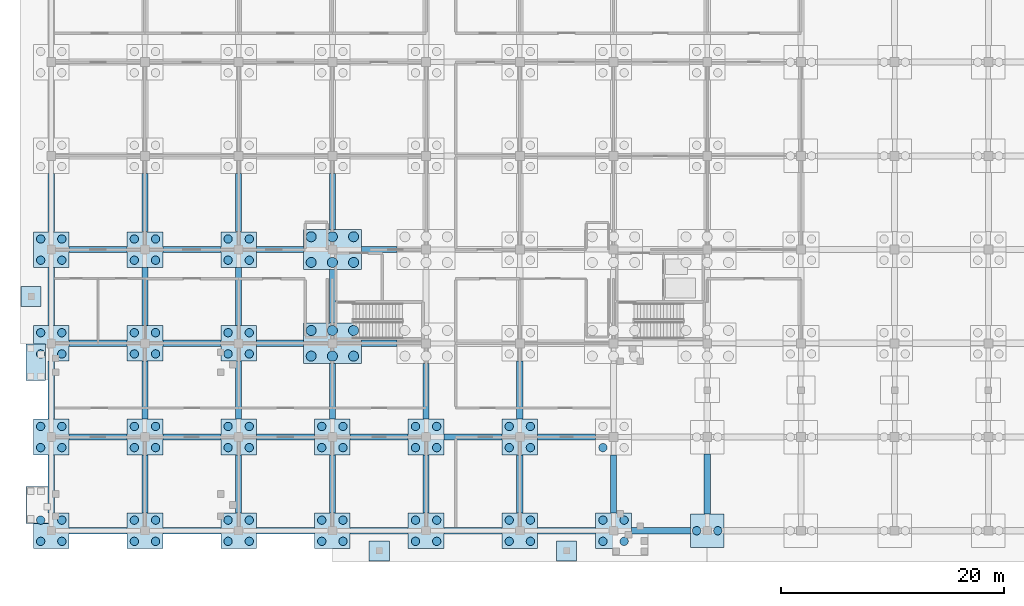
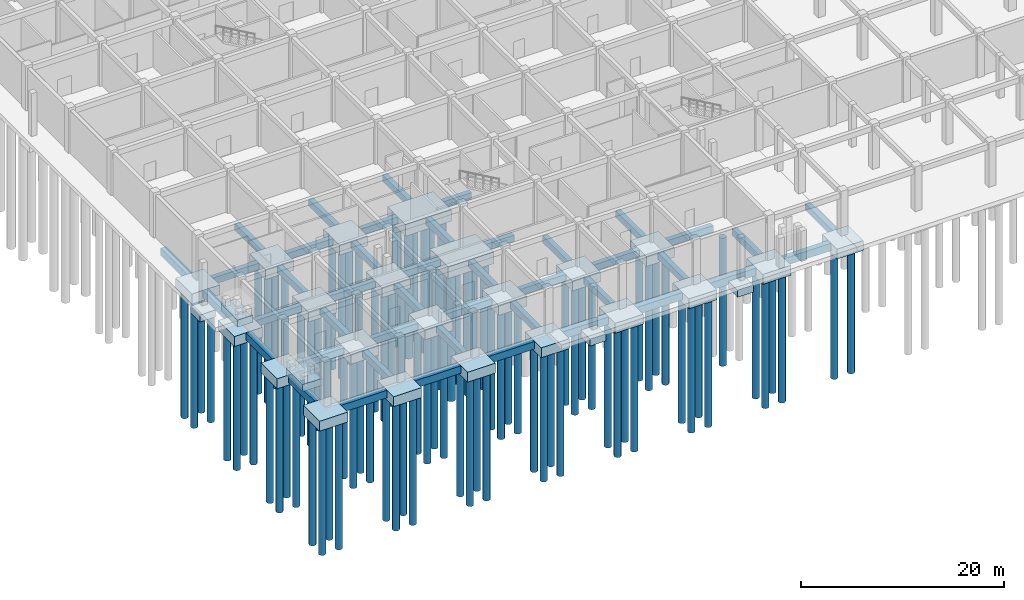
# One storey, part 1 of 65: 91 piles, 70 footings.
"""IFC4 building model written with IfcOpenShell, lengths in metres."""

from ifc_helpers import new_model, si_unit, direction, frame, origin, origin_2d, place, context, subcontext, project, spatial, rectangle, circle, extrude, material, material_profile, profile_set, type_object, element, save


model = new_model("IFC4")

# Units and contexts
model_context = context("Model", 3, precision=1e-05, world=origin(), true_north=direction((0.0, 1.0)))
body_context = subcontext(model_context, "Body", "Model", "MODEL_VIEW")
ifc_project = project(units=[si_unit("LENGTHUNIT", "METRE"), si_unit("AREAUNIT", "SQUARE_METRE"), si_unit("VOLUMEUNIT", "CUBIC_METRE"), si_unit("PLANEANGLEUNIT", "RADIAN"), si_unit("MASSUNIT", "GRAM", prefix="KILO")], contexts=[model_context])

# Site, building, storey
site_placement = place(None, origin())
site = spatial("IfcSite", under=ifc_project, at=site_placement, CompositionType="ELEMENT")
building_placement = place(site_placement, origin())
building = spatial("IfcBuilding", under=site, at=building_placement, Name="Bramfleet General Hospital", CompositionType="ELEMENT")
storey_placement = place(building_placement, frame((0.0, 0.0, -5.39990234375)))
storey = spatial("IfcBuildingStorey", under=building, at=storey_placement, Name="B1", CompositionType="ELEMENT", Elevation=-5.39990234375)

# Footings
ifc_material = material(Name="Concrete C35/45", Category="concrete")
ifc_material_profile_1 = material_profile(ifc_material, rectangle(XDim=0.550048828125, YDim=0.800048828125, at=origin_2d()), Name="RC FB 800x550")
ifc_profile_set_1 = profile_set([ifc_material_profile_1], Name="Concrete C35/45")
footing_type_1 = type_object("IfcFootingType", Name="FTG-FB-01", PredefinedType="FOOTING_BEAM", material=ifc_profile_set_1)
for number, where, z_axis, x_axis, name in (
    (1, (1.60009765625, 8.39990234375, -0.900146484375), (1.0, 0.0, 0.0), (0.0, 1.0, 0.0), "Foundation Tie Beam X 00-01"),
    (2, (1.60009765625, 16.800048828125, -0.900146484375), (1.0, 0.0, 0.0), (0.0, 1.0, 0.0), "Foundation Tie Beam X 00-02"),
    (3, (1.60009765625, 25.199951171875, -0.900146484375), (1.0, 0.0, 0.0), (0.0, 1.0, 0.0), "Foundation Tie Beam X 00-03"),
    (4, (8.39990234375, 1.60009765625, -0.900146484375), (0.0, 1.0, 0.0), (-1.0, 0.0, 0.0), "Foundation Tie Beam Y 01-00"),
    (5, (10.0, 8.39990234375, -0.900146484375), (1.0, 0.0, 0.0), (0.0, 1.0, 0.0), "Foundation Tie Beam X 01-01"),
    (6, (8.39990234375, 10.0, -0.900146484375), (0.0, 1.0, 0.0), (-1.0, 0.0, 0.0), "Foundation Tie Beam Y 01-01"),
    (7, (10.0, 16.800048828125, -0.900146484375), (1.0, 0.0, 0.0), (0.0, 1.0, 0.0), "Foundation Tie Beam X 01-02"),
):
    element("IfcFooting", number, at=place(storey_placement, frame(where, z_axis=z_axis, x_axis=x_axis)), inside=storey, type_object=footing_type_1, Name=name, PredefinedType="FOOTING_BEAM", context=body_context, shape_type="SweptSolid", body=[
        extrude(rectangle(XDim=0.550048828125, YDim=0.800048828125, at=origin_2d()), origin(), (0.0, 0.0, 1.0), 5.199951171875),
    ])
footing_1_placement = place(storey_placement, frame((8.39990234375, 18.39990234375, -0.900146484375), z_axis=(0.0, 1.0, 0.0), x_axis=(-1.0, 0.0, 0.0)))
element("IfcFooting", 8, at=footing_1_placement, inside=storey, type_object=footing_type_1, Name="Foundation Tie Beam Y 01-02", PredefinedType="FOOTING_BEAM", context=body_context, shape_type="SweptSolid", body=[
    extrude(rectangle(XDim=0.550048828125, YDim=0.800048828125, at=origin_2d()), origin(), (0.0, 0.0, 1.0), 5.2001953125),
])
for number, where, z_axis, x_axis, name in (
    (9, (10.0, 25.199951171875, -0.900146484375), (1.0, 0.0, 0.0), (0.0, 1.0, 0.0), "Foundation Tie Beam X 01-03"),
    (10, (8.39990234375, 26.800048828125, -0.900146484375), (0.0, 1.0, 0.0), (-1.0, 0.0, 0.0), "Foundation Tie Beam Y 01-03"),
    (11, (16.800048828125, 1.60009765625, -0.900146484375), (0.0, 1.0, 0.0), (-1.0, 0.0, 0.0), "Foundation Tie Beam Y 02-00"),
):
    element("IfcFooting", number, at=place(storey_placement, frame(where, z_axis=z_axis, x_axis=x_axis)), inside=storey, type_object=footing_type_1, Name=name, PredefinedType="FOOTING_BEAM", context=body_context, shape_type="SweptSolid", body=[
        extrude(rectangle(XDim=0.550048828125, YDim=0.800048828125, at=origin_2d()), origin(), (0.0, 0.0, 1.0), 5.199951171875),
    ])
footing_2_placement = place(storey_placement, frame((18.39990234375, 8.39990234375, -0.900146484375), z_axis=(1.0, 0.0, 0.0), x_axis=(0.0, 1.0, 0.0)))
element("IfcFooting", 12, at=footing_2_placement, inside=storey, type_object=footing_type_1, Name="Foundation Tie Beam X 02-01", PredefinedType="FOOTING_BEAM", context=body_context, shape_type="SweptSolid", body=[
    extrude(rectangle(XDim=0.550048828125, YDim=0.800048828125, at=origin_2d()), origin(), (0.0, 0.0, 1.0), 5.2001953125),
])
footing_3_placement = place(storey_placement, frame((16.800048828125, 10.0, -0.900146484375), z_axis=(0.0, 1.0, 0.0), x_axis=(-1.0, 0.0, 0.0)))
element("IfcFooting", 13, at=footing_3_placement, inside=storey, type_object=footing_type_1, Name="Foundation Tie Beam Y 02-01", PredefinedType="FOOTING_BEAM", context=body_context, shape_type="SweptSolid", body=[
    extrude(rectangle(XDim=0.550048828125, YDim=0.800048828125, at=origin_2d()), origin(), (0.0, 0.0, 1.0), 5.199951171875),
])
footing_4_placement = place(storey_placement, frame((18.39990234375, 16.800048828125, -0.900146484375), z_axis=(1.0, 0.0, 0.0), x_axis=(0.0, 1.0, 0.0)))
element("IfcFooting", 14, at=footing_4_placement, inside=storey, type_object=footing_type_1, Name="Foundation Tie Beam X 02-02", PredefinedType="FOOTING_BEAM", context=body_context, shape_type="SweptSolid", body=[
    extrude(rectangle(XDim=0.550048828125, YDim=0.800048828125, at=origin_2d()), origin(), (0.0, 0.0, 1.0), 4.2001953125),
])
footing_5_placement = place(storey_placement, frame((16.800048828125, 18.39990234375, -0.900146484375), z_axis=(0.0, 1.0, 0.0), x_axis=(-1.0, 0.0, 0.0)))
element("IfcFooting", 15, at=footing_5_placement, inside=storey, type_object=footing_type_1, Name="Foundation Tie Beam Y 02-02", PredefinedType="FOOTING_BEAM", context=body_context, shape_type="SweptSolid", body=[
    extrude(rectangle(XDim=0.550048828125, YDim=0.800048828125, at=origin_2d()), origin(), (0.0, 0.0, 1.0), 5.2001953125),
])
footing_6_placement = place(storey_placement, frame((18.39990234375, 25.199951171875, -0.900146484375), z_axis=(1.0, 0.0, 0.0), x_axis=(0.0, 1.0, 0.0)))
element("IfcFooting", 16, at=footing_6_placement, inside=storey, type_object=footing_type_1, Name="Foundation Tie Beam X 02-03", PredefinedType="FOOTING_BEAM", context=body_context, shape_type="SweptSolid", body=[
    extrude(rectangle(XDim=0.550048828125, YDim=0.800048828125, at=origin_2d()), origin(), (0.0, 0.0, 1.0), 4.2001953125),
])
for number, where, z_axis, x_axis, name in (
    (17, (16.800048828125, 26.800048828125, -0.900146484375), (0.0, 1.0, 0.0), (-1.0, 0.0, 0.0), "Foundation Tie Beam Y 02-03"),
    (18, (25.199951171875, 1.60009765625, -0.900146484375), (0.0, 1.0, 0.0), (-1.0, 0.0, 0.0), "Foundation Tie Beam Y 03-00"),
    (19, (26.800048828125, 8.39990234375, -0.900146484375), (1.0, 0.0, 0.0), (0.0, 1.0, 0.0), "Foundation Tie Beam X 03-01"),
):
    element("IfcFooting", number, at=place(storey_placement, frame(where, z_axis=z_axis, x_axis=x_axis)), inside=storey, type_object=footing_type_1, Name=name, PredefinedType="FOOTING_BEAM", context=body_context, shape_type="SweptSolid", body=[
        extrude(rectangle(XDim=0.550048828125, YDim=0.800048828125, at=origin_2d()), origin(), (0.0, 0.0, 1.0), 5.199951171875),
    ])
footing_7_placement = place(storey_placement, frame((25.199951171875, 10.0, -0.900146484375), z_axis=(0.0, 1.0, 0.0), x_axis=(-1.0, 0.0, 0.0)))
element("IfcFooting", 20, at=footing_7_placement, inside=storey, type_object=footing_type_1, Name="Foundation Tie Beam Y 03-01", PredefinedType="FOOTING_BEAM", context=body_context, shape_type="SweptSolid", body=[
    extrude(rectangle(XDim=0.550048828125, YDim=0.800048828125, at=origin_2d()), origin(), (0.0, 0.0, 1.0), 5.0),
])
footing_8_placement = place(storey_placement, frame((27.800048828125, 16.800048828125, -0.900146484375), z_axis=(1.0, 0.0, 0.0), x_axis=(0.0, 1.0, 0.0)))
element("IfcFooting", 21, at=footing_8_placement, inside=storey, type_object=footing_type_1, Name="Foundation Tie Beam X 03-02", PredefinedType="FOOTING_BEAM", context=body_context, shape_type="SweptSolid", body=[
    extrude(rectangle(XDim=0.550048828125, YDim=0.800048828125, at=origin_2d()), origin(), (0.0, 0.0, 1.0), 3.199951171875),
])
footing_9_placement = place(storey_placement, frame((25.199951171875, 18.60009765625, -0.900146484375), z_axis=(0.0, 1.0, 0.0), x_axis=(-1.0, 0.0, 0.0)))
element("IfcFooting", 22, at=footing_9_placement, inside=storey, type_object=footing_type_1, Name="Foundation Tie Beam Y 03-02", PredefinedType="FOOTING_BEAM", context=body_context, shape_type="SweptSolid", body=[
    extrude(rectangle(XDim=0.550048828125, YDim=0.800048828125, at=origin_2d()), origin(), (0.0, 0.0, 1.0), 4.7998046875),
])
footing_10_placement = place(storey_placement, frame((27.800048828125, 25.199951171875, -0.900146484375), z_axis=(1.0, 0.0, 0.0), x_axis=(0.0, 1.0, 0.0)))
element("IfcFooting", 23, at=footing_10_placement, inside=storey, type_object=footing_type_1, Name="Foundation Tie Beam X 03-03", PredefinedType="FOOTING_BEAM", context=body_context, shape_type="SweptSolid", body=[
    extrude(rectangle(XDim=0.550048828125, YDim=0.800048828125, at=origin_2d()), origin(), (0.0, 0.0, 1.0), 3.199951171875),
])
footing_11_placement = place(storey_placement, frame((25.199951171875, 27.0, -0.900146484375), z_axis=(0.0, 1.0, 0.0), x_axis=(-1.0, 0.0, 0.0)))
element("IfcFooting", 24, at=footing_11_placement, inside=storey, type_object=footing_type_1, Name="Foundation Tie Beam Y 03-03", PredefinedType="FOOTING_BEAM", context=body_context, shape_type="SweptSolid", body=[
    extrude(rectangle(XDim=0.550048828125, YDim=0.800048828125, at=origin_2d()), origin(), (0.0, 0.0, 1.0), 5.0),
])
for number, where, z_axis, x_axis, name in (
    (25, (33.60009765625, 1.60009765625, -0.900146484375), (0.0, 1.0, 0.0), (-1.0, 0.0, 0.0), "Foundation Tie Beam Y 04-00"),
    (26, (35.199951171875, 8.39990234375, -0.900146484375), (1.0, 0.0, 0.0), (0.0, 1.0, 0.0), "Foundation Tie Beam X 04-01"),
):
    element("IfcFooting", number, at=place(storey_placement, frame(where, z_axis=z_axis, x_axis=x_axis)), inside=storey, type_object=footing_type_1, Name=name, PredefinedType="FOOTING_BEAM", context=body_context, shape_type="SweptSolid", body=[
        extrude(rectangle(XDim=0.550048828125, YDim=0.800048828125, at=origin_2d()), origin(), (0.0, 0.0, 1.0), 5.199951171875),
    ])
footing_12_placement = place(storey_placement, frame((33.60009765625, 10.0, -0.900146484375), z_axis=(0.0, 1.0, 0.0), x_axis=(-1.0, 0.0, 0.0)))
element("IfcFooting", 27, at=footing_12_placement, inside=storey, type_object=footing_type_1, Name="Foundation Tie Beam Y 04-01", PredefinedType="FOOTING_BEAM", context=body_context, shape_type="SweptSolid", body=[
    extrude(rectangle(XDim=0.550048828125, YDim=0.800048828125, at=origin_2d()), origin(), (0.0, 0.0, 1.0), 5.0),
])
for number, where, z_axis, x_axis, name in (
    (28, (42.0, 1.60009765625, -0.900146484375), (0.0, 1.0, 0.0), (-1.0, 0.0, 0.0), "Foundation Tie Beam Y 05-00"),
    (29, (43.60009765625, 8.39990234375, -0.900146484375), (1.0, 0.0, 0.0), (0.0, 1.0, 0.0), "Foundation Tie Beam X 05-01"),
    (30, (42.0, 10.0, -0.900146484375), (0.0, 1.0, 0.0), (-1.0, 0.0, 0.0), "Foundation Tie Beam Y 05-01"),
    (31, (50.39990234375, 1.60009765625, -0.900146484375), (0.0, 1.0, 0.0), (-1.0, 0.0, 0.0), "Foundation Tie Beam Y 06-00"),
):
    element("IfcFooting", number, at=place(storey_placement, frame(where, z_axis=z_axis, x_axis=x_axis)), inside=storey, type_object=footing_type_1, Name=name, PredefinedType="FOOTING_BEAM", context=body_context, shape_type="SweptSolid", body=[
        extrude(rectangle(XDim=0.550048828125, YDim=0.800048828125, at=origin_2d()), origin(), (0.0, 0.0, 1.0), 5.199951171875),
    ])
footing_13_placement = place(storey_placement, frame((58.800048828125, 1.5, -0.900146484375), z_axis=(0.0, 1.0, 0.0), x_axis=(-1.0, 0.0, 0.0)))
element("IfcFooting", 32, at=footing_13_placement, inside=storey, type_object=footing_type_1, Name="Foundation Tie Beam Y 07-00", PredefinedType="FOOTING_BEAM", context=body_context, shape_type="SweptSolid", body=[
    extrude(rectangle(XDim=0.550048828125, YDim=0.800048828125, at=origin_2d()), origin(), (0.0, 0.0, 1.0), 5.39990234375),
])
ifc_material_profile_2 = material_profile(ifc_material, rectangle(XDim=0.60009765625, YDim=0.89990234375, at=origin_2d()), Name="RC FB 900x600")
ifc_profile_set_2 = profile_set([ifc_material_profile_2], Name="Concrete C35/45")
footing_type_2 = type_object("IfcFootingType", Name="FTG-FB-02", PredefinedType="FOOTING_BEAM", material=ifc_profile_set_2)
for number, where, z_axis, x_axis, name in (
    (33, (1.60009765625, 0.0, -0.9501953125), (1.0, 0.0, 0.0), (0.0, 1.0, 0.0), "Foundation Tie Beam X 00-00"),
    (34, (0.0, 1.60009765625, -0.9501953125), (0.0, 1.0, 0.0), (-1.0, 0.0, 0.0), "Foundation Tie Beam Y 00-00"),
    (35, (0.0, 10.0, -0.9501953125), (0.0, 1.0, 0.0), (-1.0, 0.0, 0.0), "Foundation Tie Beam Y 00-01"),
):
    element("IfcFooting", number, at=place(storey_placement, frame(where, z_axis=z_axis, x_axis=x_axis)), inside=storey, type_object=footing_type_2, Name=name, PredefinedType="FOOTING_BEAM", context=body_context, shape_type="SweptSolid", body=[
        extrude(rectangle(XDim=0.60009765625, YDim=0.89990234375, at=origin_2d()), origin(), (0.0, 0.0, 1.0), 5.199951171875),
    ])
footing_14_placement = place(storey_placement, frame((0.0, 18.39990234375, -0.9501953125), z_axis=(0.0, 1.0, 0.0), x_axis=(-1.0, 0.0, 0.0)))
element("IfcFooting", 36, at=footing_14_placement, inside=storey, type_object=footing_type_2, Name="Foundation Tie Beam Y 00-02", PredefinedType="FOOTING_BEAM", context=body_context, shape_type="SweptSolid", body=[
    extrude(rectangle(XDim=0.60009765625, YDim=0.89990234375, at=origin_2d()), origin(), (0.0, 0.0, 1.0), 5.2001953125),
])
for number, where, z_axis, x_axis, name in (
    (37, (0.0, 26.800048828125, -0.9501953125), (0.0, 1.0, 0.0), (-1.0, 0.0, 0.0), "Foundation Tie Beam Y 00-03"),
    (38, (10.0, 0.0, -0.9501953125), (1.0, 0.0, 0.0), (0.0, 1.0, 0.0), "Foundation Tie Beam X 01-00"),
):
    element("IfcFooting", number, at=place(storey_placement, frame(where, z_axis=z_axis, x_axis=x_axis)), inside=storey, type_object=footing_type_2, Name=name, PredefinedType="FOOTING_BEAM", context=body_context, shape_type="SweptSolid", body=[
        extrude(rectangle(XDim=0.60009765625, YDim=0.89990234375, at=origin_2d()), origin(), (0.0, 0.0, 1.0), 5.199951171875),
    ])
footing_15_placement = place(storey_placement, frame((18.39990234375, 0.0, -0.9501953125), z_axis=(1.0, 0.0, 0.0), x_axis=(0.0, 1.0, 0.0)))
element("IfcFooting", 39, at=footing_15_placement, inside=storey, type_object=footing_type_2, Name="Foundation Tie Beam X 02-00", PredefinedType="FOOTING_BEAM", context=body_context, shape_type="SweptSolid", body=[
    extrude(rectangle(XDim=0.60009765625, YDim=0.89990234375, at=origin_2d()), origin(), (0.0, 0.0, 1.0), 5.2001953125),
])
for number, where, z_axis, x_axis, name in (
    (40, (26.800048828125, 0.0, -0.9501953125), (1.0, 0.0, 0.0), (0.0, 1.0, 0.0), "Foundation Tie Beam X 03-00"),
    (41, (35.199951171875, 0.0, -0.9501953125), (1.0, 0.0, 0.0), (0.0, 1.0, 0.0), "Foundation Tie Beam X 04-00"),
    (42, (43.60009765625, 0.0, -0.9501953125), (1.0, 0.0, 0.0), (0.0, 1.0, 0.0), "Foundation Tie Beam X 05-00"),
):
    element("IfcFooting", number, at=place(storey_placement, frame(where, z_axis=z_axis, x_axis=x_axis)), inside=storey, type_object=footing_type_2, Name=name, PredefinedType="FOOTING_BEAM", context=body_context, shape_type="SweptSolid", body=[
        extrude(rectangle(XDim=0.60009765625, YDim=0.89990234375, at=origin_2d()), origin(), (0.0, 0.0, 1.0), 5.199951171875),
    ])
footing_16_placement = place(storey_placement, frame((52.0, 0.0, -0.9501953125), z_axis=(1.0, 0.0, 0.0), x_axis=(0.0, 1.0, 0.0)))
element("IfcFooting", 43, at=footing_16_placement, inside=storey, type_object=footing_type_2, Name="Foundation Tie Beam X 06-00", PredefinedType="FOOTING_BEAM", context=body_context, shape_type="SweptSolid", body=[
    extrude(rectangle(XDim=0.60009765625, YDim=0.89990234375, at=origin_2d()), origin(), (0.0, 0.0, 1.0), 5.300048828125),
])
footing_type_3 = type_object("IfcFootingType", Name="FTG-PC-01", PredefinedType="PILE_CAP", material=ifc_material)
footing_17_placement = place(storey_placement, frame((58.800048828125, 0.0, -1.7001953125), z_axis=(0.0, 0.0, 1.0), x_axis=(1.0, 0.0, 0.0)))
element("IfcFooting", 44, at=footing_17_placement, inside=storey, type_object=footing_type_3, Name="Pile Cap FTG-B1-07-00", PredefinedType="PILE_CAP", context=body_context, shape_type="SweptSolid", body=[
    extrude(rectangle(XDim=3.0, YDim=3.0, at=origin_2d()), origin(), (0.0, 0.0, 1.0), 1.199951171875),
])
footing_type_4 = type_object("IfcFootingType", Name="FTG-PC-02", PredefinedType="PILE_CAP", material=ifc_material)
for number, where, z_axis, x_axis, name in (
    (45, (0.0, 0.0, -1.7001953125), (0.0, 0.0, 1.0), (1.0, 0.0, 0.0), "Pile Cap FTG-B1-00-00"),
    (46, (0.0, 8.39990234375, -1.7001953125), (0.0, 0.0, 1.0), (1.0, 0.0, 0.0), "Pile Cap FTG-B1-00-01"),
    (47, (0.0, 16.800048828125, -1.7001953125), (0.0, 0.0, 1.0), (1.0, 0.0, 0.0), "Pile Cap FTG-B1-00-02"),
    (48, (0.0, 25.199951171875, -1.7001953125), (0.0, 0.0, 1.0), (1.0, 0.0, 0.0), "Pile Cap FTG-B1-00-03"),
    (49, (8.39990234375, 0.0, -1.7001953125), (0.0, 0.0, 1.0), (1.0, 0.0, 0.0), "Pile Cap FTG-B1-01-00"),
    (50, (8.39990234375, 8.39990234375, -1.7001953125), (0.0, 0.0, 1.0), (1.0, 0.0, 0.0), "Pile Cap FTG-B1-01-01"),
    (51, (8.39990234375, 16.800048828125, -1.7001953125), (0.0, 0.0, 1.0), (1.0, 0.0, 0.0), "Pile Cap FTG-B1-01-02"),
    (52, (8.39990234375, 25.199951171875, -1.7001953125), (0.0, 0.0, 1.0), (1.0, 0.0, 0.0), "Pile Cap FTG-B1-01-03"),
    (53, (16.800048828125, 0.0, -1.7001953125), (0.0, 0.0, 1.0), (1.0, 0.0, 0.0), "Pile Cap FTG-B1-02-00"),
    (54, (16.800048828125, 8.39990234375, -1.7001953125), (0.0, 0.0, 1.0), (1.0, 0.0, 0.0), "Pile Cap FTG-B1-02-01"),
    (55, (16.800048828125, 16.800048828125, -1.7001953125), (0.0, 0.0, 1.0), (1.0, 0.0, 0.0), "Pile Cap FTG-B1-02-02"),
    (56, (16.800048828125, 25.199951171875, -1.7001953125), (0.0, 0.0, 1.0), (1.0, 0.0, 0.0), "Pile Cap FTG-B1-02-03"),
    (57, (25.199951171875, 0.0, -1.7001953125), (0.0, 0.0, 1.0), (1.0, 0.0, 0.0), "Pile Cap FTG-B1-03-00"),
    (58, (25.199951171875, 8.39990234375, -1.7001953125), (0.0, 0.0, 1.0), (1.0, 0.0, 0.0), "Pile Cap FTG-B1-03-01"),
    (59, (33.60009765625, 0.0, -1.7001953125), (0.0, 0.0, 1.0), (1.0, 0.0, 0.0), "Pile Cap FTG-B1-04-00"),
    (60, (33.60009765625, 8.39990234375, -1.7001953125), (0.0, 0.0, 1.0), (1.0, 0.0, 0.0), "Pile Cap FTG-B1-04-01"),
    (61, (42.0, 0.0, -1.7001953125), (0.0, 0.0, 1.0), (1.0, 0.0, 0.0), "Pile Cap FTG-B1-05-00"),
    (62, (42.0, 8.39990234375, -1.7001953125), (0.0, 0.0, 1.0), (1.0, 0.0, 0.0), "Pile Cap FTG-B1-05-01"),
    (63, (50.39990234375, 0.0, -1.7001953125), (0.0, 0.0, 1.0), (1.0, 0.0, 0.0), "Pile Cap FTG-B1-06-00"),
):
    element("IfcFooting", number, at=place(storey_placement, frame(where, z_axis=z_axis, x_axis=x_axis)), inside=storey, type_object=footing_type_4, Name=name, PredefinedType="PILE_CAP", context=body_context, shape_type="SweptSolid", body=[
        extrude(rectangle(XDim=3.199951171875, YDim=3.199951171875, at=origin_2d()), origin(), (0.0, 0.0, 1.0), 1.199951171875),
    ])
footing_type_5 = type_object("IfcFootingType", Name="FTG-PC-06", PredefinedType="PILE_CAP", material=ifc_material)
for number, where, z_axis, x_axis, name in (
    (64, (25.199951171875, 16.800048828125, -1.900146484375), (0.0, 0.0, 1.0), (1.0, 0.0, 0.0), "Pile Cap FTG-B1-03-02"),
    (65, (25.199951171875, 25.199951171875, -1.900146484375), (0.0, 0.0, 1.0), (1.0, 0.0, 0.0), "Pile Cap FTG-B1-03-03"),
):
    element("IfcFooting", number, at=place(storey_placement, frame(where, z_axis=z_axis, x_axis=x_axis)), inside=storey, type_object=footing_type_5, Name=name, PredefinedType="PILE_CAP", context=body_context, shape_type="SweptSolid", body=[
        extrude(rectangle(XDim=5.199951171875, YDim=3.60009765625, at=origin_2d()), origin(), (0.0, 0.0, 1.0), 1.39990234375),
    ])
footing_type_6 = type_object("IfcFootingType", Name="FTG-PF-01", PredefinedType="PAD_FOOTING", material=ifc_material)
for number, where, z_axis, x_axis, name in (
    (66, (-1.800048828125, 21.0, -1.35009765625), (0.0, 0.0, 1.0), (1.0, 0.0, 0.0), "West Plinth Pad Footing 1"),
    (67, (29.39990234375, -1.800048828125, -1.35009765625), (0.0, 0.0, 1.0), (1.0, 0.0, 0.0), "South Plinth Pad Footing 1"),
    (68, (46.199951171875, -1.800048828125, -1.35009765625), (0.0, 0.0, 1.0), (1.0, 0.0, 0.0), "South Plinth Pad Footing 2"),
):
    element("IfcFooting", number, at=place(storey_placement, frame(where, z_axis=z_axis, x_axis=x_axis)), inside=storey, type_object=footing_type_6, Name=name, PredefinedType="PAD_FOOTING", context=body_context, shape_type="SweptSolid", body=[
        extrude(rectangle(XDim=1.800048828125, YDim=1.800048828125, at=origin_2d()), origin(), (0.0, 0.0, 1.0), 0.85009765625),
    ])
footing_18_placement = place(storey_placement, frame((-1.110107421875, 2.300048828125, 1.89990234375), z_axis=(0.0, 0.0, 1.0), x_axis=(1.0, 0.0, 0.0)))
element("IfcFooting", 69, at=footing_18_placement, inside=storey, type_object=footing_type_6, Name="Combined Threshold Pad Footing 3", PredefinedType="PAD_FOOTING", context=body_context, shape_type="SweptSolid", body=[
    extrude(rectangle(XDim=2.280029296875, YDim=3.300048828125, at=origin_2d()), origin(), (0.0, 0.0, 1.0), 0.85009765625),
])
footing_19_placement = place(storey_placement, frame((-1.385009765625, 15.10009765625, 1.89990234375), z_axis=(0.0, 0.0, 1.0), x_axis=(1.0, 0.0, 0.0)))
element("IfcFooting", 70, at=footing_19_placement, inside=storey, type_object=footing_type_6, Name="Combined Threshold Pad Footing 4", PredefinedType="PAD_FOOTING", context=body_context, shape_type="SweptSolid", body=[
    extrude(rectangle(XDim=1.72998046875, YDim=3.300048828125, at=origin_2d()), origin(), (0.0, 0.0, 1.0), 0.85009765625),
])

# Piles
ifc_material_profile_3 = material_profile(ifc_material, circle(Radius=0.375, at=origin_2d()), Name="PILE BORED D750")
ifc_profile_set_3 = profile_set([ifc_material_profile_3], Name="Concrete C35/45")
pile_type_1 = type_object("IfcPileType", Name="PILE-D750", PredefinedType="BORED", material=ifc_profile_set_3)
for number, where, z_axis, x_axis, name in (
    (71, (-0.949951171875, -0.949951171875, -1.60009765625), (0.0, 0.0, -1.0), (1.0, 0.0, 0.0), "Bored Pile PILE-B1-00-00-1"),
    (72, (0.949951171875, -0.949951171875, -1.60009765625), (0.0, 0.0, -1.0), (1.0, 0.0, 0.0), "Bored Pile PILE-B1-00-00-2"),
    (73, (-0.949951171875, 0.949951171875, -1.60009765625), (0.0, 0.0, -1.0), (1.0, 0.0, 0.0), "Bored Pile PILE-B1-00-00-3"),
    (74, (0.949951171875, 0.949951171875, -1.60009765625), (0.0, 0.0, -1.0), (1.0, 0.0, 0.0), "Bored Pile PILE-B1-00-00-4"),
    (75, (-0.949951171875, 7.449951171875, -1.60009765625), (0.0, 0.0, -1.0), (1.0, 0.0, 0.0), "Bored Pile PILE-B1-00-01-1"),
    (76, (0.949951171875, 7.449951171875, -1.60009765625), (0.0, 0.0, -1.0), (1.0, 0.0, 0.0), "Bored Pile PILE-B1-00-01-2"),
    (77, (-0.949951171875, 9.35009765625, -1.60009765625), (0.0, 0.0, -1.0), (1.0, 0.0, 0.0), "Bored Pile PILE-B1-00-01-3"),
    (78, (0.949951171875, 9.35009765625, -1.60009765625), (0.0, 0.0, -1.0), (1.0, 0.0, 0.0), "Bored Pile PILE-B1-00-01-4"),
    (79, (-0.949951171875, 15.85009765625, -1.60009765625), (0.0, 0.0, -1.0), (1.0, 0.0, 0.0), "Bored Pile PILE-B1-00-02-1"),
    (80, (0.949951171875, 15.85009765625, -1.60009765625), (0.0, 0.0, -1.0), (1.0, 0.0, 0.0), "Bored Pile PILE-B1-00-02-2"),
    (81, (-0.949951171875, 17.75, -1.60009765625), (0.0, 0.0, -1.0), (1.0, 0.0, 0.0), "Bored Pile PILE-B1-00-02-3"),
    (82, (0.949951171875, 17.75, -1.60009765625), (0.0, 0.0, -1.0), (1.0, 0.0, 0.0), "Bored Pile PILE-B1-00-02-4"),
    (83, (-0.949951171875, 24.25, -1.60009765625), (0.0, 0.0, -1.0), (1.0, 0.0, 0.0), "Bored Pile PILE-B1-00-03-1"),
    (84, (0.949951171875, 24.25, -1.60009765625), (0.0, 0.0, -1.0), (1.0, 0.0, 0.0), "Bored Pile PILE-B1-00-03-2"),
    (85, (-0.949951171875, 26.14990234375, -1.60009765625), (0.0, 0.0, -1.0), (1.0, 0.0, 0.0), "Bored Pile PILE-B1-00-03-3"),
    (86, (0.949951171875, 26.14990234375, -1.60009765625), (0.0, 0.0, -1.0), (1.0, 0.0, 0.0), "Bored Pile PILE-B1-00-03-4"),
    (87, (7.449951171875, -0.949951171875, -1.60009765625), (0.0, 0.0, -1.0), (1.0, 0.0, 0.0), "Bored Pile PILE-B1-01-00-1"),
    (88, (9.35009765625, -0.949951171875, -1.60009765625), (0.0, 0.0, -1.0), (1.0, 0.0, 0.0), "Bored Pile PILE-B1-01-00-2"),
    (89, (7.449951171875, 0.949951171875, -1.60009765625), (0.0, 0.0, -1.0), (1.0, 0.0, 0.0), "Bored Pile PILE-B1-01-00-3"),
    (90, (9.35009765625, 0.949951171875, -1.60009765625), (0.0, 0.0, -1.0), (1.0, 0.0, 0.0), "Bored Pile PILE-B1-01-00-4"),
    (91, (7.449951171875, 7.449951171875, -1.60009765625), (0.0, 0.0, -1.0), (1.0, 0.0, 0.0), "Bored Pile PILE-B1-01-01-1"),
    (92, (9.35009765625, 7.449951171875, -1.60009765625), (0.0, 0.0, -1.0), (1.0, 0.0, 0.0), "Bored Pile PILE-B1-01-01-2"),
    (93, (7.449951171875, 9.35009765625, -1.60009765625), (0.0, 0.0, -1.0), (1.0, 0.0, 0.0), "Bored Pile PILE-B1-01-01-3"),
    (94, (9.35009765625, 9.35009765625, -1.60009765625), (0.0, 0.0, -1.0), (1.0, 0.0, 0.0), "Bored Pile PILE-B1-01-01-4"),
    (95, (7.449951171875, 15.85009765625, -1.60009765625), (0.0, 0.0, -1.0), (1.0, 0.0, 0.0), "Bored Pile PILE-B1-01-02-1"),
    (96, (9.35009765625, 15.85009765625, -1.60009765625), (0.0, 0.0, -1.0), (1.0, 0.0, 0.0), "Bored Pile PILE-B1-01-02-2"),
    (97, (7.449951171875, 17.75, -1.60009765625), (0.0, 0.0, -1.0), (1.0, 0.0, 0.0), "Bored Pile PILE-B1-01-02-3"),
    (98, (9.35009765625, 17.75, -1.60009765625), (0.0, 0.0, -1.0), (1.0, 0.0, 0.0), "Bored Pile PILE-B1-01-02-4"),
    (99, (7.449951171875, 24.25, -1.60009765625), (0.0, 0.0, -1.0), (1.0, 0.0, 0.0), "Bored Pile PILE-B1-01-03-1"),
    (100, (9.35009765625, 24.25, -1.60009765625), (0.0, 0.0, -1.0), (1.0, 0.0, 0.0), "Bored Pile PILE-B1-01-03-2"),
    (101, (7.449951171875, 26.14990234375, -1.60009765625), (0.0, 0.0, -1.0), (1.0, 0.0, 0.0), "Bored Pile PILE-B1-01-03-3"),
    (102, (9.35009765625, 26.14990234375, -1.60009765625), (0.0, 0.0, -1.0), (1.0, 0.0, 0.0), "Bored Pile PILE-B1-01-03-4"),
    (103, (15.85009765625, -0.949951171875, -1.60009765625), (0.0, 0.0, -1.0), (1.0, 0.0, 0.0), "Bored Pile PILE-B1-02-00-1"),
    (104, (17.75, -0.949951171875, -1.60009765625), (0.0, 0.0, -1.0), (1.0, 0.0, 0.0), "Bored Pile PILE-B1-02-00-2"),
    (105, (15.85009765625, 0.949951171875, -1.60009765625), (0.0, 0.0, -1.0), (1.0, 0.0, 0.0), "Bored Pile PILE-B1-02-00-3"),
    (106, (17.75, 0.949951171875, -1.60009765625), (0.0, 0.0, -1.0), (1.0, 0.0, 0.0), "Bored Pile PILE-B1-02-00-4"),
    (107, (15.85009765625, 7.449951171875, -1.60009765625), (0.0, 0.0, -1.0), (1.0, 0.0, 0.0), "Bored Pile PILE-B1-02-01-1"),
    (108, (17.75, 7.449951171875, -1.60009765625), (0.0, 0.0, -1.0), (1.0, 0.0, 0.0), "Bored Pile PILE-B1-02-01-2"),
    (109, (15.85009765625, 9.35009765625, -1.60009765625), (0.0, 0.0, -1.0), (1.0, 0.0, 0.0), "Bored Pile PILE-B1-02-01-3"),
    (110, (17.75, 9.35009765625, -1.60009765625), (0.0, 0.0, -1.0), (1.0, 0.0, 0.0), "Bored Pile PILE-B1-02-01-4"),
    (111, (15.85009765625, 15.85009765625, -1.60009765625), (0.0, 0.0, -1.0), (1.0, 0.0, 0.0), "Bored Pile PILE-B1-02-02-1"),
    (112, (17.75, 15.85009765625, -1.60009765625), (0.0, 0.0, -1.0), (1.0, 0.0, 0.0), "Bored Pile PILE-B1-02-02-2"),
    (113, (15.85009765625, 17.75, -1.60009765625), (0.0, 0.0, -1.0), (1.0, 0.0, 0.0), "Bored Pile PILE-B1-02-02-3"),
    (114, (17.75, 17.75, -1.60009765625), (0.0, 0.0, -1.0), (1.0, 0.0, 0.0), "Bored Pile PILE-B1-02-02-4"),
    (115, (15.85009765625, 24.25, -1.60009765625), (0.0, 0.0, -1.0), (1.0, 0.0, 0.0), "Bored Pile PILE-B1-02-03-1"),
    (116, (17.75, 24.25, -1.60009765625), (0.0, 0.0, -1.0), (1.0, 0.0, 0.0), "Bored Pile PILE-B1-02-03-2"),
    (117, (15.85009765625, 26.14990234375, -1.60009765625), (0.0, 0.0, -1.0), (1.0, 0.0, 0.0), "Bored Pile PILE-B1-02-03-3"),
    (118, (17.75, 26.14990234375, -1.60009765625), (0.0, 0.0, -1.0), (1.0, 0.0, 0.0), "Bored Pile PILE-B1-02-03-4"),
    (119, (24.25, -0.949951171875, -1.60009765625), (0.0, 0.0, -1.0), (1.0, 0.0, 0.0), "Bored Pile PILE-B1-03-00-1"),
    (120, (26.14990234375, -0.949951171875, -1.60009765625), (0.0, 0.0, -1.0), (1.0, 0.0, 0.0), "Bored Pile PILE-B1-03-00-2"),
    (121, (24.25, 0.949951171875, -1.60009765625), (0.0, 0.0, -1.0), (1.0, 0.0, 0.0), "Bored Pile PILE-B1-03-00-3"),
    (122, (26.14990234375, 0.949951171875, -1.60009765625), (0.0, 0.0, -1.0), (1.0, 0.0, 0.0), "Bored Pile PILE-B1-03-00-4"),
    (123, (24.25, 7.449951171875, -1.60009765625), (0.0, 0.0, -1.0), (1.0, 0.0, 0.0), "Bored Pile PILE-B1-03-01-1"),
    (124, (26.14990234375, 7.449951171875, -1.60009765625), (0.0, 0.0, -1.0), (1.0, 0.0, 0.0), "Bored Pile PILE-B1-03-01-2"),
    (125, (24.25, 9.35009765625, -1.60009765625), (0.0, 0.0, -1.0), (1.0, 0.0, 0.0), "Bored Pile PILE-B1-03-01-3"),
    (126, (26.14990234375, 9.35009765625, -1.60009765625), (0.0, 0.0, -1.0), (1.0, 0.0, 0.0), "Bored Pile PILE-B1-03-01-4"),
    (127, (32.64990234375, -0.949951171875, -1.60009765625), (0.0, 0.0, -1.0), (1.0, 0.0, 0.0), "Bored Pile PILE-B1-04-00-1"),
    (128, (34.550048828125, -0.949951171875, -1.60009765625), (0.0, 0.0, -1.0), (1.0, 0.0, 0.0), "Bored Pile PILE-B1-04-00-2"),
    (129, (32.64990234375, 0.949951171875, -1.60009765625), (0.0, 0.0, -1.0), (1.0, 0.0, 0.0), "Bored Pile PILE-B1-04-00-3"),
    (130, (34.550048828125, 0.949951171875, -1.60009765625), (0.0, 0.0, -1.0), (1.0, 0.0, 0.0), "Bored Pile PILE-B1-04-00-4"),
    (131, (32.64990234375, 7.449951171875, -1.60009765625), (0.0, 0.0, -1.0), (1.0, 0.0, 0.0), "Bored Pile PILE-B1-04-01-1"),
    (132, (34.550048828125, 7.449951171875, -1.60009765625), (0.0, 0.0, -1.0), (1.0, 0.0, 0.0), "Bored Pile PILE-B1-04-01-2"),
    (133, (32.64990234375, 9.35009765625, -1.60009765625), (0.0, 0.0, -1.0), (1.0, 0.0, 0.0), "Bored Pile PILE-B1-04-01-3"),
    (134, (34.550048828125, 9.35009765625, -1.60009765625), (0.0, 0.0, -1.0), (1.0, 0.0, 0.0), "Bored Pile PILE-B1-04-01-4"),
    (135, (41.050048828125, -0.949951171875, -1.60009765625), (0.0, 0.0, -1.0), (1.0, 0.0, 0.0), "Bored Pile PILE-B1-05-00-1"),
    (136, (42.949951171875, -0.949951171875, -1.60009765625), (0.0, 0.0, -1.0), (1.0, 0.0, 0.0), "Bored Pile PILE-B1-05-00-2"),
    (137, (41.050048828125, 0.949951171875, -1.60009765625), (0.0, 0.0, -1.0), (1.0, 0.0, 0.0), "Bored Pile PILE-B1-05-00-3"),
    (138, (42.949951171875, 0.949951171875, -1.60009765625), (0.0, 0.0, -1.0), (1.0, 0.0, 0.0), "Bored Pile PILE-B1-05-00-4"),
    (139, (41.050048828125, 7.449951171875, -1.60009765625), (0.0, 0.0, -1.0), (1.0, 0.0, 0.0), "Bored Pile PILE-B1-05-01-1"),
    (140, (42.949951171875, 7.449951171875, -1.60009765625), (0.0, 0.0, -1.0), (1.0, 0.0, 0.0), "Bored Pile PILE-B1-05-01-2"),
    (141, (41.050048828125, 9.35009765625, -1.60009765625), (0.0, 0.0, -1.0), (1.0, 0.0, 0.0), "Bored Pile PILE-B1-05-01-3"),
    (142, (42.949951171875, 9.35009765625, -1.60009765625), (0.0, 0.0, -1.0), (1.0, 0.0, 0.0), "Bored Pile PILE-B1-05-01-4"),
    (143, (49.449951171875, -0.949951171875, -1.60009765625), (0.0, 0.0, -1.0), (1.0, 0.0, 0.0), "Bored Pile PILE-B1-06-00-1"),
    (144, (51.35009765625, -0.949951171875, -1.60009765625), (0.0, 0.0, -1.0), (1.0, 0.0, 0.0), "Bored Pile PILE-B1-06-00-2"),
    (145, (49.449951171875, 0.949951171875, -1.60009765625), (0.0, 0.0, -1.0), (1.0, 0.0, 0.0), "Bored Pile PILE-B1-06-00-3"),
    (146, (51.35009765625, 0.949951171875, -1.60009765625), (0.0, 0.0, -1.0), (1.0, 0.0, 0.0), "Bored Pile PILE-B1-06-00-4"),
    (147, (49.449951171875, 7.449951171875, -1.60009765625), (0.0, 0.0, -1.0), (1.0, 0.0, 0.0), "Bored Pile PILE-B1-06-01-1"),
    (148, (57.85009765625, 0.0, -1.60009765625), (0.0, 0.0, -1.0), (1.0, 0.0, 0.0), "Bored Pile PILE-B1-07-00-1"),
    (149, (59.75, 0.0, -1.60009765625), (0.0, 0.0, -1.0), (1.0, 0.0, 0.0), "Bored Pile PILE-B1-07-00-2"),
):
    element("IfcPile", number, at=place(storey_placement, frame(where, z_axis=z_axis, x_axis=x_axis)), inside=storey, type_object=pile_type_1, Name=name, PredefinedType="BORED", context=body_context, shape_type="SweptSolid", body=[
        extrude(circle(Radius=0.375, at=origin_2d()), origin(), (0.0, 0.0, 1.0), 15.39990234375),
    ])
ifc_material_profile_4 = material_profile(ifc_material, circle(Radius=0.449951171875, at=origin_2d()), Name="PILE BORED D900")
ifc_profile_set_4 = profile_set([ifc_material_profile_4], Name="Concrete C35/45")
pile_type_2 = type_object("IfcPileType", Name="PILE-D900", PredefinedType="BORED", material=ifc_profile_set_4)
for number, where, z_axis, x_axis, name in (
    (150, (23.300048828125, 15.64990234375, -1.800048828125), (0.0, 0.0, -1.0), (1.0, 0.0, 0.0), "Bored Pile PILE-B1-03-02-1"),
    (151, (25.199951171875, 15.64990234375, -1.800048828125), (0.0, 0.0, -1.0), (1.0, 0.0, 0.0), "Bored Pile PILE-B1-03-02-2"),
    (152, (27.10009765625, 15.64990234375, -1.800048828125), (0.0, 0.0, -1.0), (1.0, 0.0, 0.0), "Bored Pile PILE-B1-03-02-3"),
    (153, (23.300048828125, 17.949951171875, -1.800048828125), (0.0, 0.0, -1.0), (1.0, 0.0, 0.0), "Bored Pile PILE-B1-03-02-4"),
    (154, (25.199951171875, 17.949951171875, -1.800048828125), (0.0, 0.0, -1.0), (1.0, 0.0, 0.0), "Bored Pile PILE-B1-03-02-5"),
    (155, (27.10009765625, 17.949951171875, -1.800048828125), (0.0, 0.0, -1.0), (1.0, 0.0, 0.0), "Bored Pile PILE-B1-03-02-6"),
    (156, (23.300048828125, 24.050048828125, -1.800048828125), (0.0, 0.0, -1.0), (1.0, 0.0, 0.0), "Bored Pile PILE-B1-03-03-1"),
    (157, (25.199951171875, 24.050048828125, -1.800048828125), (0.0, 0.0, -1.0), (1.0, 0.0, 0.0), "Bored Pile PILE-B1-03-03-2"),
    (158, (27.10009765625, 24.050048828125, -1.800048828125), (0.0, 0.0, -1.0), (1.0, 0.0, 0.0), "Bored Pile PILE-B1-03-03-3"),
    (159, (23.300048828125, 26.35009765625, -1.800048828125), (0.0, 0.0, -1.0), (1.0, 0.0, 0.0), "Bored Pile PILE-B1-03-03-4"),
    (160, (25.199951171875, 26.35009765625, -1.800048828125), (0.0, 0.0, -1.0), (1.0, 0.0, 0.0), "Bored Pile PILE-B1-03-03-5"),
    (161, (27.10009765625, 26.35009765625, -1.800048828125), (0.0, 0.0, -1.0), (1.0, 0.0, 0.0), "Bored Pile PILE-B1-03-03-6"),
):
    element("IfcPile", number, at=place(storey_placement, frame(where, z_axis=z_axis, x_axis=x_axis)), inside=storey, type_object=pile_type_2, Name=name, PredefinedType="BORED", context=body_context, shape_type="SweptSolid", body=[
        extrude(circle(Radius=0.449951171875, at=origin_2d()), origin(), (0.0, 0.0, 1.0), 15.199951171875),
    ])

save(model, "model.ifc")
